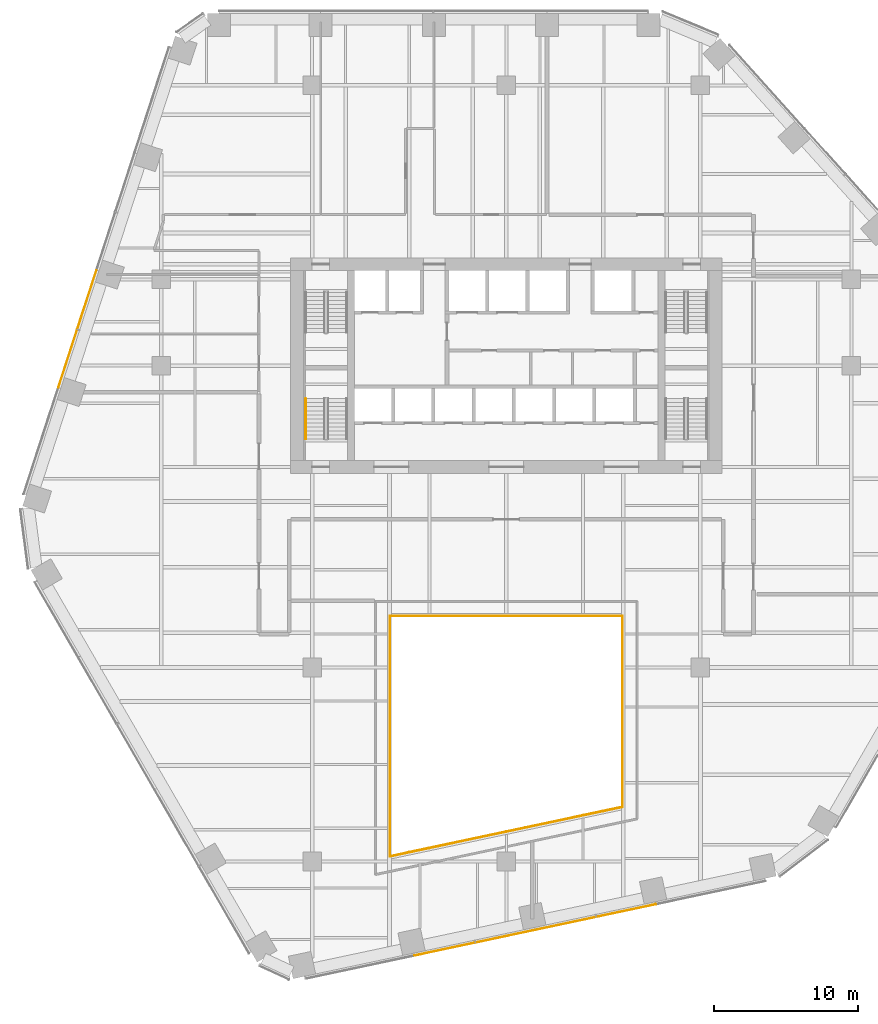
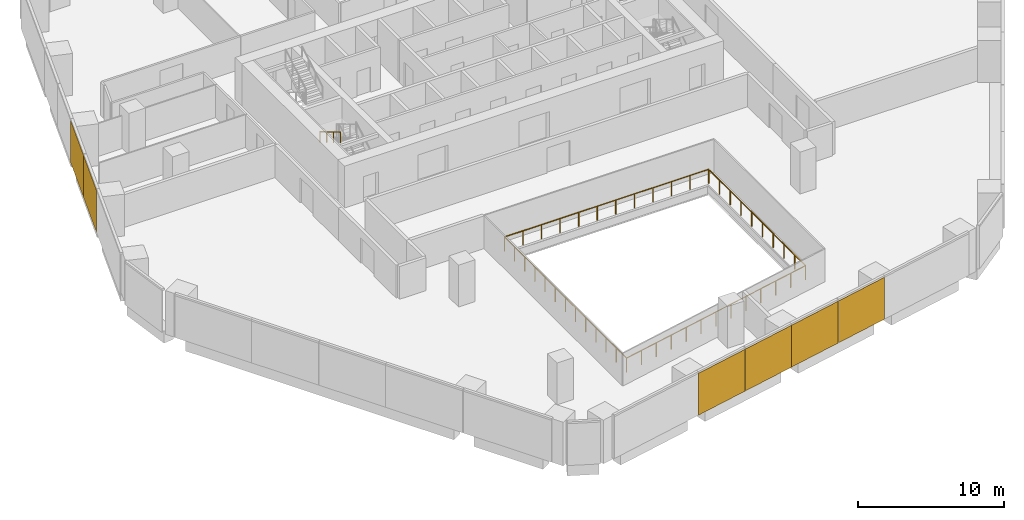
# One storey, part 17 of 19: 6 coverings, 5 railings, 2 elements without a shape of their own.
"""IFC4 building model written with IfcOpenShell, lengths in metres."""

import ifcopenshell
import ifcopenshell.guid

model = None  # the IFC model being written
_history = None  # IfcOwnerHistory: only IFC2X3 demands one
_inside = {}  # id of a spatial element -> (the spatial element, [elements in it])
_under = {}  # id of a project, library or spatial element -> (it, [spatial elements below it])
_declared = {}  # id of a project -> (the project, [libraries it declares])
_typed = {}  # id of a type object -> (the type object, [elements of that type])
_made_of = {}  # id of a material, layer set ... -> (it, [elements and type objects made of it])


def new_model(schema):
    """Start an empty IFC model of exactly this schema.

    Asked for "IFC4X3", IfcOpenShell would pick the latest addendum, in which some entities
    have other attributes; the version numbers below select the first issue.
    IFC2X3 requires an IfcOwnerHistory on every rooted entity: one is made here for all.
    """
    global model, _history
    if schema == "IFC4X3":
        model = ifcopenshell.file(schema_version=(4, 3, 0, 0))
    else:
        model = ifcopenshell.file(schema=schema)
    _inside.clear()
    _under.clear()
    _declared.clear()
    _typed.clear()
    _made_of.clear()
    _history = None
    if model.schema == "IFC2X3":
        org = make("IfcOrganization", Name="unknown")
        user = make(
            "IfcPersonAndOrganization",
            ThePerson=make("IfcPerson", FamilyName="unknown"),
            TheOrganization=org,
        )
        app = make(
            "IfcApplication",
            ApplicationDeveloper=org,
            Version="unknown",
            ApplicationFullName="unknown",
            ApplicationIdentifier="unknown",
        )
        _history = make(
            "IfcOwnerHistory",
            OwningUser=user,
            OwningApplication=app,
            ChangeAction="ADDED",
            CreationDate=0,
        )
    return model


def make(cls, **values):
    """One entity of the class cls with the attributes given. An attribute that is None is left unset."""
    return model.create_entity(
        cls, **{name: value for name, value in values.items() if value is not None}
    )


def rooted(cls, **values):
    """An entity with a GlobalId (a new one), such as an element, a storey or a relation."""
    return make(cls, GlobalId=ifcopenshell.guid.new(), OwnerHistory=_history, **values)


def si_unit(unit_type, name, prefix=None):
    """IfcSIUnit, for example si_unit("LENGTHUNIT", "METRE", prefix="MILLI")."""
    return make("IfcSIUnit", UnitType=unit_type, Prefix=prefix, Name=name)


def assignment(units):
    """IfcUnitAssignment: the units of a project."""
    return None if units is None else make("IfcUnitAssignment", Units=units)


def point(xyz):
    """IfcCartesianPoint."""
    return None if xyz is None else make("IfcCartesianPoint", Coordinates=xyz)


def direction(xyz):
    """IfcDirection."""
    return None if xyz is None else make("IfcDirection", DirectionRatios=xyz)


def frame(location, z_axis=None, x_axis=None):
    """IfcAxis2Placement3D, a coordinate frame: its origin and axes. An axis left out is left unset."""
    return make(
        "IfcAxis2Placement3D",
        Location=point(location),
        Axis=direction(z_axis),
        RefDirection=direction(x_axis),
    )


def frame_2d(location, x_axis=None):
    """IfcAxis2Placement2D, a coordinate frame in the plane: its origin and x axis."""
    return make(
        "IfcAxis2Placement2D", Location=point(location), RefDirection=direction(x_axis)
    )


def origin():
    """The frame at (0, 0, 0) with its axes left unset."""
    return frame((0.0, 0.0, 0.0))


def origin_2d():
    """The frame at (0, 0) in the plane with its x axis left unset."""
    return frame_2d((0.0, 0.0))


def place(relative_to, where):
    """IfcLocalPlacement: puts the frame where relative to a parent placement (None: the world)."""
    return make(
        "IfcLocalPlacement", PlacementRelTo=relative_to, RelativePlacement=where
    )


def context(
    kind, dimensions, precision=None, world=None, true_north=None, identifier=None
):
    """IfcGeometricRepresentationContext, for example the 3D "Model" context."""
    return make(
        "IfcGeometricRepresentationContext",
        ContextIdentifier=identifier,
        ContextType=kind,
        CoordinateSpaceDimension=dimensions,
        Precision=precision,
        WorldCoordinateSystem=world,
        TrueNorth=true_north,
    )


def subcontext(parent, identifier, kind, view, scale=None):
    """IfcGeometricRepresentationSubContext, for example "Body" below "Model"."""
    return make(
        "IfcGeometricRepresentationSubContext",
        ContextIdentifier=identifier,
        ContextType=kind,
        ParentContext=parent,
        TargetScale=scale,
        TargetView=view,
    )


def project(units=None, contexts=None):
    """IfcProject with its units and contexts."""
    return rooted(
        "IfcProject",
        Name="project",
        RepresentationContexts=contexts,
        UnitsInContext=assignment(units),
    )


def spatial(cls, under=None, at=None, **own):
    """A site, building, storey or space (cls), placed at a placement, below another one or the project."""
    s = rooted(cls, ObjectPlacement=at, **own)
    if under is not None:
        _under.setdefault(under.id(), (under, []))[1].append(s)
    return s


def profile(cls, at=None, kind="AREA", **sizes):
    """A parametric profile (cls). Its sizes go by their IFC names, for example OverallWidth=200.0."""
    return make(cls, ProfileType=kind, Position=at, **sizes)


def rectangle(**sizes):
    """IfcRectangleProfileDef."""
    return profile("IfcRectangleProfileDef", **sizes)


def circle(**sizes):
    """IfcCircleProfileDef."""
    return profile("IfcCircleProfileDef", **sizes)


def extrude(swept, where, along, depth):
    """IfcExtrudedAreaSolid: the profile swept, set in the frame where, extruded along a direction by depth."""
    return make(
        "IfcExtrudedAreaSolid",
        SweptArea=swept,
        Position=where,
        ExtrudedDirection=direction(along),
        Depth=depth,
    )


def shape(context_of_items, identifier, shape_type, items):
    """IfcShapeRepresentation: the items that make up one representation, for example the "Body"."""
    return make(
        "IfcShapeRepresentation",
        ContextOfItems=context_of_items,
        RepresentationIdentifier=identifier,
        RepresentationType=shape_type,
        Items=items,
    )


def material(Name=None, Category=None):
    """IfcMaterial."""
    return make("IfcMaterial", Name=Name, Category=Category)


def layer(
    of_material, thickness, ventilated=None, Name=None, Category=None, Priority=None
):
    """IfcMaterialLayer: one layer of a wall or slab, of a material (None: an air gap)."""
    return make(
        "IfcMaterialLayer",
        Material=of_material,
        LayerThickness=thickness,
        IsVentilated=ventilated,
        Name=Name,
        Category=Category,
        Priority=Priority,
    )


def layer_set(layers, Name=None):
    """IfcMaterialLayerSet."""
    return make("IfcMaterialLayerSet", MaterialLayers=layers, LayerSetName=Name)


def made_of(thing, what):
    """Note that an element or type object is made of a material, layer set ...; save() writes the relation."""
    if what is not None:
        _made_of.setdefault(what.id(), (what, []))[1].append(thing)
    return thing


def type_object(cls, material=None, **own):
    """A type object (cls), such as IfcWallType, which elements share."""
    return made_of(rooted(cls, **own), material)


def element(
    cls,
    number,
    at=None,
    inside=None,
    cuts=None,
    type_object=None,
    material=None,
    context=None,
    identifier="Body",
    shape_type=None,
    held_by="IfcProductDefinitionShape",
    body=None,
    shapes=None,
    **own,
):
    """One element of the class cls, such as IfcWall. Its Tag is "e" and its number.

    at: its placement. inside: the storey or other place that contains it. cuts: it is an
    opening in that element (IfcRelVoidsElement). A single representation is given by context,
    identifier, shape_type and body (its items); several are given by shapes. held_by: the class
    of the entity that holds the representations. save() writes the other relations.
    """
    e = rooted(cls, Tag="e%d" % number, ObjectPlacement=at, **own)
    if body is not None:
        shapes = [shape(context, identifier, shape_type, body)]
    if shapes is not None:
        e.Representation = make(held_by, Representations=shapes)
    if inside is not None:
        _inside.setdefault(inside.id(), (inside, []))[1].append(e)
    if cuts is not None:
        rooted(
            "IfcRelVoidsElement", RelatingBuildingElement=cuts, RelatedOpeningElement=e
        )
    if type_object is not None:
        _typed.setdefault(type_object.id(), (type_object, []))[1].append(e)
    return made_of(e, material)


def aggregate(whole, parts):
    """IfcRelAggregates: a whole, such as a stair, and the parts it consists of."""
    return rooted("IfcRelAggregates", RelatingObject=whole, RelatedObjects=parts)


def save(model, path):
    """Write the relations noted so far, then the file.

    IfcRelAggregates (storeys below a building ...), IfcRelContainedInSpatialStructure (elements
    in a storey), IfcRelDefinesByType, IfcRelAssociatesMaterial and IfcRelDeclares: one each for
    every whole, place, type object, material and project.
    """
    for whole, parts in _under.values():
        aggregate(whole, parts)
    for where, things in _inside.values():
        rooted(
            "IfcRelContainedInSpatialStructure",
            RelatedElements=things,
            RelatingStructure=where,
        )
    for kind, things in _typed.values():
        rooted("IfcRelDefinesByType", RelatedObjects=things, RelatingType=kind)
    for what, things in _made_of.values():
        rooted("IfcRelAssociatesMaterial", RelatedObjects=things, RelatingMaterial=what)
    for by, libraries in _declared.values():
        rooted("IfcRelDeclares", RelatingContext=by, RelatedDefinitions=libraries)
    model.write(path)


model = new_model("IFC4")

# Units and contexts
model_context = context("Model", 3, precision=1e-05, world=origin(), true_north=direction((0.0, 1.0)))
body_context = subcontext(model_context, "Body", "Model", "MODEL_VIEW")
ifc_project = project(units=[si_unit("LENGTHUNIT", "METRE"), si_unit("AREAUNIT", "SQUARE_METRE"), si_unit("VOLUMEUNIT", "CUBIC_METRE"), si_unit("PLANEANGLEUNIT", "RADIAN"), si_unit("MASSUNIT", "GRAM", prefix="KILO")], contexts=[model_context])

# Site, building, storey
site_placement = place(None, origin())
site = spatial("IfcSite", under=ifc_project, at=site_placement, CompositionType="ELEMENT")
building_placement = place(site_placement, origin())
building = spatial("IfcBuilding", under=site, at=building_placement, Name="Isthmus Gate Tower", CompositionType="ELEMENT")
storey_placement = place(building_placement, frame((0.0, 0.0, 91.60009765625)))
storey = spatial("IfcBuildingStorey", under=building, at=storey_placement, Name="L21", CompositionType="ELEMENT", Elevation=91.60009765625)

# Railings
ifc_material_1 = material(Name="Laminated toughened glass balustrade with steel rail", Category="steel")
railing_type_1 = type_object("IfcRailingType", Name="ATRIUM GUARD GLASS BALUSTRADE 1200", PredefinedType="GUARDRAIL", material=ifc_material_1)
railing_1_placement = place(storey_placement, frame((-8.080078125, -26.642822265625, 0.0)))
element("IfcRailing", 1, at=railing_1_placement, inside=storey, type_object=railing_type_1, Name="L21 atrium guard", PredefinedType="GUARDRAIL", context=body_context, shape_type="SweptSolid", body=[
    extrude(circle(Radius=0.02490234375, at=origin_2d()), frame((0.0, 0.0, 1.1748046875), z_axis=(0.0, 1.0, 0.0), x_axis=(-1.0, 0.0, 0.0)), (0.0, 0.0, 1.0), 16.722900390625),
    extrude(circle(Radius=0.02490234375, at=origin_2d()), origin(), (0.0, 0.0, 1.0), 1.14990234375),
    extrude(circle(Radius=0.02490234375, at=origin_2d()), frame((0.0, 1.3935546875, 0.0)), (0.0, 0.0, 1.0), 1.14990234375),
    extrude(circle(Radius=0.02490234375, at=origin_2d()), frame((0.0, 2.787109375, 0.0)), (0.0, 0.0, 1.0), 1.14990234375),
    extrude(circle(Radius=0.02490234375, at=origin_2d()), frame((0.0, 4.1806640625, 0.0)), (0.0, 0.0, 1.0), 1.14990234375),
    extrude(circle(Radius=0.02490234375, at=origin_2d()), frame((0.0, 5.57421875, 0.0)), (0.0, 0.0, 1.0), 1.14990234375),
    extrude(circle(Radius=0.02490234375, at=origin_2d()), frame((0.0, 6.9677734375, 0.0)), (0.0, 0.0, 1.0), 1.14990234375),
    extrude(circle(Radius=0.02490234375, at=origin_2d()), frame((0.0, 8.361328125, 0.0)), (0.0, 0.0, 1.0), 1.14990234375),
    extrude(circle(Radius=0.02490234375, at=origin_2d()), frame((0.0, 9.755126953125, 0.0)), (0.0, 0.0, 1.0), 1.14990234375),
    extrude(circle(Radius=0.02490234375, at=origin_2d()), frame((0.0, 11.148681640625, 0.0)), (0.0, 0.0, 1.0), 1.14990234375),
    extrude(circle(Radius=0.02490234375, at=origin_2d()), frame((0.0, 12.542236328125, 0.0)), (0.0, 0.0, 1.0), 1.14990234375),
    extrude(circle(Radius=0.02490234375, at=origin_2d()), frame((0.0, 13.935791015625, 0.0)), (0.0, 0.0, 1.0), 1.14990234375),
    extrude(circle(Radius=0.02490234375, at=origin_2d()), frame((0.0, 15.329345703125, 0.0)), (0.0, 0.0, 1.0), 1.14990234375),
    extrude(circle(Radius=0.02490234375, at=origin_2d()), frame((0.0, 16.722900390625, 0.0)), (0.0, 0.0, 1.0), 1.14990234375),
])
railing_2_placement = place(storey_placement, frame((-8.080078125, -9.919921875, 0.0)))
element("IfcRailing", 2, at=railing_2_placement, inside=storey, type_object=railing_type_1, Name="L21 atrium guard", PredefinedType="GUARDRAIL", context=body_context, shape_type="SweptSolid", body=[
    extrude(circle(Radius=0.02490234375, at=origin_2d()), frame((0.0, 0.0, 1.1748046875), z_axis=(1.0, 0.0, 0.0), x_axis=(0.0, 1.0, 0.0)), (0.0, 0.0, 1.0), 16.16015625),
    extrude(circle(Radius=0.02490234375, at=origin_2d()), origin(), (0.0, 0.0, 1.0), 1.14990234375),
    extrude(circle(Radius=0.02490234375, at=origin_2d()), frame((1.468994140625, 0.0, 0.0)), (0.0, 0.0, 1.0), 1.14990234375),
    extrude(circle(Radius=0.02490234375, at=origin_2d()), frame((2.938232421875, 0.0, 0.0)), (0.0, 0.0, 1.0), 1.14990234375),
    extrude(circle(Radius=0.02490234375, at=origin_2d()), frame((4.4072265625, 0.0, 0.0)), (0.0, 0.0, 1.0), 1.14990234375),
    extrude(circle(Radius=0.02490234375, at=origin_2d()), frame((5.87646484375, 0.0, 0.0)), (0.0, 0.0, 1.0), 1.14990234375),
    extrude(circle(Radius=0.02490234375, at=origin_2d()), frame((7.345458984375, 0.0, 0.0)), (0.0, 0.0, 1.0), 1.14990234375),
    extrude(circle(Radius=0.02490234375, at=origin_2d()), frame((8.814697265625, 0.0, 0.0)), (0.0, 0.0, 1.0), 1.14990234375),
    extrude(circle(Radius=0.02490234375, at=origin_2d()), frame((10.28369140625, 0.0, 0.0)), (0.0, 0.0, 1.0), 1.14990234375),
    extrude(circle(Radius=0.02490234375, at=origin_2d()), frame((11.7529296875, 0.0, 0.0)), (0.0, 0.0, 1.0), 1.14990234375),
    extrude(circle(Radius=0.02490234375, at=origin_2d()), frame((13.221923828125, 0.0, 0.0)), (0.0, 0.0, 1.0), 1.14990234375),
    extrude(circle(Radius=0.02490234375, at=origin_2d()), frame((14.691162109375, 0.0, 0.0)), (0.0, 0.0, 1.0), 1.14990234375),
    extrude(circle(Radius=0.02490234375, at=origin_2d()), frame((16.16015625, 0.0, 0.0)), (0.0, 0.0, 1.0), 1.14990234375),
])
railing_3_placement = place(storey_placement, frame((8.080078125, -9.919921875, 0.0)))
element("IfcRailing", 3, at=railing_3_placement, inside=storey, type_object=railing_type_1, Name="L21 atrium guard", PredefinedType="GUARDRAIL", context=body_context, shape_type="SweptSolid", body=[
    extrude(circle(Radius=0.02490234375, at=origin_2d()), frame((0.0, 0.0, 1.1748046875), z_axis=(0.0, -1.0, 0.0), x_axis=(1.0, 0.0, 0.0)), (0.0, 0.0, 1.0), 13.2880859375),
    extrude(circle(Radius=0.02490234375, at=origin_2d()), origin(), (0.0, 0.0, 1.0), 1.14990234375),
    extrude(circle(Radius=0.02490234375, at=origin_2d()), frame((0.0, -1.4765625, 0.0)), (0.0, 0.0, 1.0), 1.14990234375),
    extrude(circle(Radius=0.02490234375, at=origin_2d()), frame((0.0, -2.952880859375, 0.0)), (0.0, 0.0, 1.0), 1.14990234375),
    extrude(circle(Radius=0.02490234375, at=origin_2d()), frame((0.0, -4.429443359375, 0.0)), (0.0, 0.0, 1.0), 1.14990234375),
    extrude(circle(Radius=0.02490234375, at=origin_2d()), frame((0.0, -5.90576171875, 0.0)), (0.0, 0.0, 1.0), 1.14990234375),
    extrude(circle(Radius=0.02490234375, at=origin_2d()), frame((0.0, -7.38232421875, 0.0)), (0.0, 0.0, 1.0), 1.14990234375),
    extrude(circle(Radius=0.02490234375, at=origin_2d()), frame((0.0, -8.858642578125, 0.0)), (0.0, 0.0, 1.0), 1.14990234375),
    extrude(circle(Radius=0.02490234375, at=origin_2d()), frame((0.0, -10.335205078125, 0.0)), (0.0, 0.0, 1.0), 1.14990234375),
    extrude(circle(Radius=0.02490234375, at=origin_2d()), frame((0.0, -11.8115234375, 0.0)), (0.0, 0.0, 1.0), 1.14990234375),
    extrude(circle(Radius=0.02490234375, at=origin_2d()), frame((0.0, -13.2880859375, 0.0)), (0.0, 0.0, 1.0), 1.14990234375),
])
railing_4_placement = place(storey_placement, frame((8.080078125, -23.2080078125, 0.0)))
element("IfcRailing", 4, at=railing_4_placement, inside=storey, type_object=railing_type_1, Name="L21 atrium guard", PredefinedType="GUARDRAIL", context=body_context, shape_type="SweptSolid", body=[
    extrude(circle(Radius=0.02490234375, at=origin_2d()), frame((0.0, 0.0, 1.1748046875), z_axis=(-0.978149235358, -0.207904000366, 0.0), x_axis=(0.207904000366, -0.978149235358, 0.0)), (0.0, 0.0, 1.0), 16.521240234375),
    extrude(circle(Radius=0.02490234375, at=origin_2d()), origin(), (0.0, 0.0, 1.0), 1.14990234375),
    extrude(circle(Radius=0.02490234375, at=origin_2d()), frame((-1.3466796875, -0.2861328125, 0.0)), (0.0, 0.0, 1.0), 1.14990234375),
    extrude(circle(Radius=0.02490234375, at=origin_2d()), frame((-2.693359375, -0.572509765625, 0.0)), (0.0, 0.0, 1.0), 1.14990234375),
    extrude(circle(Radius=0.02490234375, at=origin_2d()), frame((-4.0400390625, -0.858642578125, 0.0)), (0.0, 0.0, 1.0), 1.14990234375),
    extrude(circle(Radius=0.02490234375, at=origin_2d()), frame((-5.38671875, -1.14501953125, 0.0)), (0.0, 0.0, 1.0), 1.14990234375),
    extrude(circle(Radius=0.02490234375, at=origin_2d()), frame((-6.7333984375, -1.43115234375, 0.0)), (0.0, 0.0, 1.0), 1.14990234375),
    extrude(circle(Radius=0.02490234375, at=origin_2d()), frame((-8.080078125, -1.71728515625, 0.0)), (0.0, 0.0, 1.0), 1.14990234375),
    extrude(circle(Radius=0.02490234375, at=origin_2d()), frame((-9.4267578125, -2.003662109375, 0.0)), (0.0, 0.0, 1.0), 1.14990234375),
    extrude(circle(Radius=0.02490234375, at=origin_2d()), frame((-10.7734375, -2.289794921875, 0.0)), (0.0, 0.0, 1.0), 1.14990234375),
    extrude(circle(Radius=0.02490234375, at=origin_2d()), frame((-12.1201171875, -2.576171875, 0.0)), (0.0, 0.0, 1.0), 1.14990234375),
    extrude(circle(Radius=0.02490234375, at=origin_2d()), frame((-13.466796875, -2.8623046875, 0.0)), (0.0, 0.0, 1.0), 1.14990234375),
    extrude(circle(Radius=0.02490234375, at=origin_2d()), frame((-14.8134765625, -3.148681640625, 0.0)), (0.0, 0.0, 1.0), 1.14990234375),
    extrude(circle(Radius=0.02490234375, at=origin_2d()), frame((-16.16015625, -3.434814453125, 0.0)), (0.0, 0.0, 1.0), 1.14990234375),
])

# Curtain wall, coverings
ifc_material_2 = material(Name="Aluminium, pale champagne anodised", Category="aluminium")
ifc_layer_1 = layer(ifc_material_2, 0.199951171875)
ifc_layer_set_1 = layer_set([ifc_layer_1], Name="CW-1 UNITISED CURTAIN WALL 200 DEEP")
curtain_wall_type = type_object("IfcCurtainWallType", Name="CW-1 UNITISED CURTAIN WALL 200 DEEP", PredefinedType="NOTDEFINED", material=ifc_layer_set_1)
curtain_wall_1_placement = place(storey_placement, origin())
curtain_wall_1 = element("IfcCurtainWall", 5, at=curtain_wall_1_placement, inside=storey, type_object=curtain_wall_type, Name="CW-1 NW L21", PredefinedType="NOTDEFINED")
ifc_material_3 = material(Name="Aluminium composite panel, pale champagne anodised", Category="aluminium")
ifc_layer_2 = layer(ifc_material_3, 0.0400390625)
ifc_layer_set_2 = layer_set([ifc_layer_2], Name="CW-1 PALE METAL PANEL 40")
covering_type = type_object("IfcCoveringType", Name="CW-1 PALE METAL PANEL 40", PredefinedType="CLADDING", material=ifc_layer_set_2)
covering_1_placement = place(storey_placement, frame((-29.17236328125, 12.09033203125, 0.0), z_axis=(0.0, 0.0, 1.0), x_axis=(-0.309016994375, -0.951056516295, 0.0)))
covering_1 = element("IfcCovering", 6, at=covering_1_placement, type_object=covering_type, Name="CW-1 pale metal panel", PredefinedType="CLADDING", context=body_context, shape_type="SweptSolid", body=[
    extrude(rectangle(XDim=4.294677734375, YDim=0.0400390625, at=origin_2d()), origin(), (0.0, 0.0, 1.0), 3.5),
])
covering_2_placement = place(storey_placement, frame((-30.5087890625, 7.9775390625, 0.0), z_axis=(0.0, 0.0, 1.0), x_axis=(-0.309016994375, -0.951056516295, 0.0)))
covering_2 = element("IfcCovering", 7, at=covering_2_placement, type_object=covering_type, Name="CW-1 pale metal panel", PredefinedType="CLADDING", context=body_context, shape_type="SweptSolid", body=[
    extrude(rectangle(XDim=4.234619140625, YDim=0.0400390625, at=origin_2d()), origin(), (0.0, 0.0, 1.0), 3.5),
])
aggregate(curtain_wall_1, [covering_1, covering_2])

curtain_wall_2_placement = place(storey_placement, origin())
curtain_wall_2 = element("IfcCurtainWall", 8, at=curtain_wall_2_placement, inside=storey, type_object=curtain_wall_type, Name="CW-1 S L21", PredefinedType="NOTDEFINED")
covering_3_placement = place(storey_placement, frame((-4.2861328125, -33.094970703125, 0.0), z_axis=(0.0, 0.0, 1.0), x_axis=(0.978147600734, 0.207911690818, 0.0)))
covering_3 = element("IfcCovering", 9, at=covering_3_placement, type_object=covering_type, Name="CW-1 pale metal panel", PredefinedType="CLADDING", context=body_context, shape_type="SweptSolid", body=[
    extrude(rectangle(XDim=4.294677734375, YDim=0.0400390625, at=origin_2d()), origin(), (0.0, 0.0, 1.0), 3.5),
])
covering_4_placement = place(storey_placement, frame((-0.055908203125, -32.19580078125, 0.0), z_axis=(0.0, 0.0, 1.0), x_axis=(0.978147600734, 0.207911690818, 0.0)))
covering_4 = element("IfcCovering", 10, at=covering_4_placement, type_object=covering_type, Name="CW-1 pale metal panel", PredefinedType="CLADDING", context=body_context, shape_type="SweptSolid", body=[
    extrude(rectangle(XDim=4.234619140625, YDim=0.0400390625, at=origin_2d()), origin(), (0.0, 0.0, 1.0), 3.5),
])
covering_5_placement = place(storey_placement, frame((4.115478515625, -31.309326171875, 0.0), z_axis=(0.0, 0.0, 1.0), x_axis=(0.978147600734, 0.207911690818, 0.0)))
covering_5 = element("IfcCovering", 11, at=covering_5_placement, type_object=covering_type, Name="CW-1 pale metal panel", PredefinedType="CLADDING", context=body_context, shape_type="SweptSolid", body=[
    extrude(rectangle(XDim=4.294677734375, YDim=0.0400390625, at=origin_2d()), origin(), (0.0, 0.0, 1.0), 3.5),
])
covering_6_placement = place(storey_placement, frame((8.345703125, -30.41015625, 0.0), z_axis=(0.0, 0.0, 1.0), x_axis=(0.978147600734, 0.207911690818, 0.0)))
covering_6 = element("IfcCovering", 12, at=covering_6_placement, type_object=covering_type, Name="CW-1 pale metal panel", PredefinedType="CLADDING", context=body_context, shape_type="SweptSolid", body=[
    extrude(rectangle(XDim=4.234619140625, YDim=0.0400390625, at=origin_2d()), origin(), (0.0, 0.0, 1.0), 3.5),
])
aggregate(curtain_wall_2, [covering_3, covering_4, covering_5, covering_6])

# Railing
ifc_material_4 = material(Name="Stainless steel handrail", Category="steel")
railing_type_2 = type_object("IfcRailingType", Name="STAIR HANDRAIL 900", PredefinedType="HANDRAIL", material=ifc_material_4)
railing_5_placement = place(storey_placement, frame((-13.949951171875, 5.199951171875, 1.99072265625)))
element("IfcRailing", 13, at=railing_5_placement, inside=storey, type_object=railing_type_2, Name="L21 ST7 stair handrail 2", PredefinedType="HANDRAIL", context=body_context, shape_type="SweptSolid", body=[
    extrude(circle(Radius=0.02392578125, at=origin_2d()), frame((0.0, 0.0, 0.8759765625), z_axis=(0.0, -0.860306154799, 0.50977771628), x_axis=(1.0, 0.0, 0.0)), (0.0, 0.0, 1.0), 3.254638671875),
    extrude(circle(Radius=0.02099609375, at=origin_2d()), origin(), (0.0, 0.0, 1.0), 0.851806640625),
    extrude(circle(Radius=0.02099609375, at=origin_2d()), frame((0.0, -0.933349609375, 0.552978515625)), (0.0, 0.0, 1.0), 0.851806640625),
    extrude(circle(Radius=0.02099609375, at=origin_2d()), frame((0.0, -1.86669921875, 1.106201171875)), (0.0, 0.0, 1.0), 0.851806640625),
    extrude(circle(Radius=0.02099609375, at=origin_2d()), frame((0.0, -2.800048828125, 1.6591796875)), (0.0, 0.0, 1.0), 0.851806640625),
])

save(model, "model.ifc")
